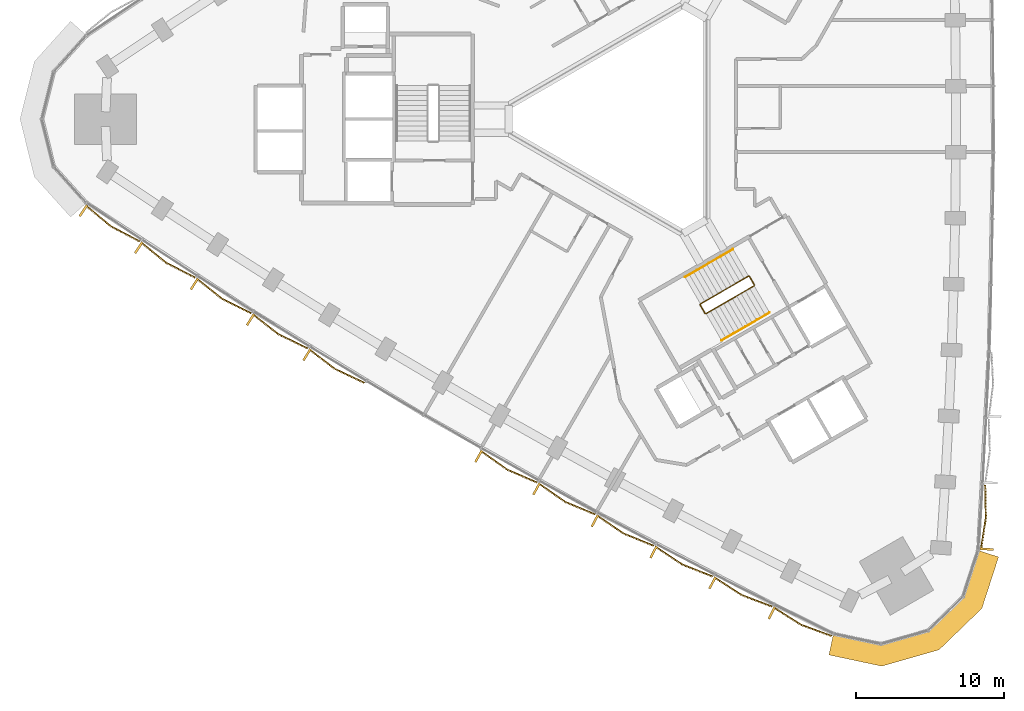
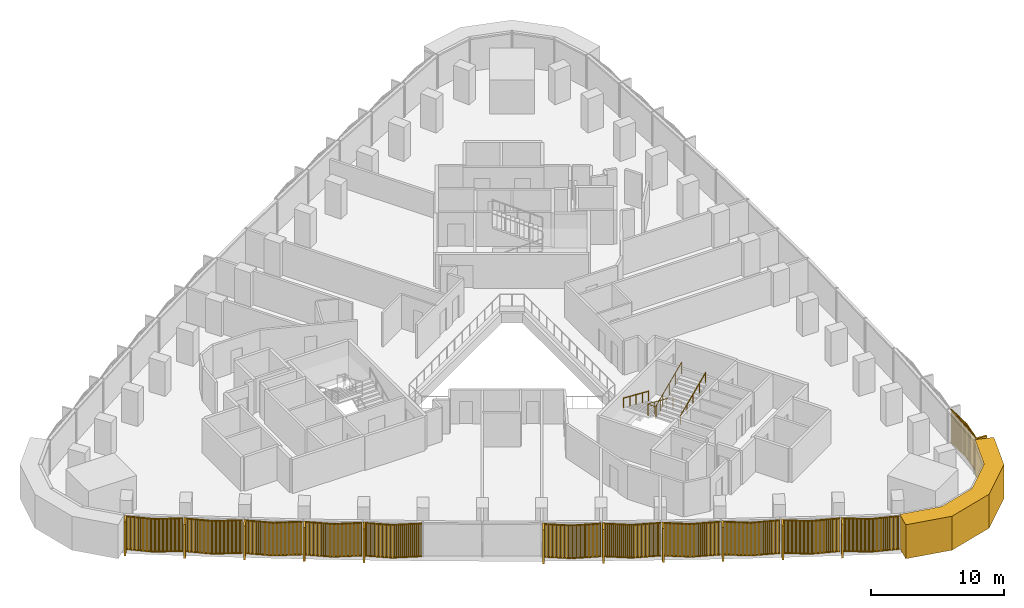
# One storey, part 13 of 15: 13 coverings, 3 railings.
"""IFC4 building model written with IfcOpenShell, lengths in metres."""

from ifc_helpers import new_model, si_unit, direction, frame, frame_2d, origin, origin_2d, place, context, subcontext, project, spatial, polyline, rectangle, circle, outline, extrude, source, transform, mapped, material, layer, layer_set, type_object, element, save


model = new_model("IFC4")

# Units and contexts
model_context = context("Model", 3, precision=1e-05, world=origin(), true_north=direction((0.0, 1.0)))
body_context = subcontext(model_context, "Body", "Model", "MODEL_VIEW")
ifc_project = project(units=[si_unit("LENGTHUNIT", "METRE"), si_unit("AREAUNIT", "SQUARE_METRE"), si_unit("VOLUMEUNIT", "CUBIC_METRE"), si_unit("PLANEANGLEUNIT", "RADIAN"), si_unit("MASSUNIT", "GRAM", prefix="KILO")], contexts=[model_context])

# Site, building, storey
site_placement = place(None, origin())
site = spatial("IfcSite", under=ifc_project, at=site_placement, CompositionType="ELEMENT")
building_placement = place(site_placement, origin())
building = spatial("IfcBuilding", under=site, at=building_placement, Name="Tamra Quay Hotel Tower", CompositionType="ELEMENT")
storey_placement = place(building_placement, frame((0.0, 0.0, 63.800048828125)))
storey = spatial("IfcBuildingStorey", under=building, at=storey_placement, Name="L14", CompositionType="ELEMENT", Elevation=63.800048828125)

# Covering
ifc_material_1 = material(Name="Precast concrete M60 terracotta-coloured", Category="masonry")
ifc_layer = layer(ifc_material_1, 1.449951171875)
ifc_layer_set = layer_set([ifc_layer], Name="CORNER PIER PANEL")
covering_type_1 = type_object("IfcCoveringType", Name="CORNER PIER PANEL", PredefinedType="CLADDING", material=ifc_layer_set)
covering_1_placement = place(storey_placement, origin())
element("IfcCovering", 1, at=covering_1_placement, inside=storey, type_object=covering_type_1, Name="Corner pier L14.south-west", PredefinedType="CLADDING", context=body_context, shape_type="SweptSolid", body=[
    extrude(outline(polyline([(13.593017578125, -34.877685546875), (13.29150390625, -36.296142578125), (16.88037109375, -37.058837890625), (20.75439453125, -35.947998046875), (23.65380859375, -33.148193359375), (24.78759765625, -29.658935546875), (23.40869140625, -29.210693359375), (22.386474609375, -32.356201171875), (20.00732421875, -34.65380859375), (16.828125, -35.5654296875), (13.593017578125, -34.877685546875)])), origin(), (0.0, 0.0, 1.0), 3.125),
])

# Railings
ifc_material_2 = material(Name="Stair guard 1100")
railing_type_1 = type_object("IfcRailingType", Name="Stair guard 1100", PredefinedType="GUARDRAIL", material=ifc_material_2)
railing_1_placement = place(storey_placement, frame((8.245849609375, -11.221923828125, 0.0)))
element("IfcRailing", 2, at=railing_1_placement, inside=storey, type_object=railing_type_1, Name="GR", PredefinedType="GUARDRAIL", context=body_context, shape_type="SweptSolid", body=[
    extrude(circle(Radius=0.02392578125, at=origin_2d()), frame((0.0, 0.0, 1.076171875), z_axis=(-0.500043078269, 0.866000531106, 0.0), x_axis=(-0.866000531106, -0.500043078269, 0.0)), (0.0, 0.0, 1.0), 0.6591796875),
    extrude(circle(Radius=0.02392578125, at=origin_2d()), frame((-0.32958984375, 0.57080078125, 1.076171875), z_axis=(-0.41238007866, 0.110458949641, 0.904290601062), x_axis=(-0.258736085224, -0.965948051503, 0.0)), (0.0, 0.0, 1.0), 0.165771484375),
    extrude(circle(Radius=0.02392578125, at=origin_2d()), frame((-0.39794921875, 0.589111328125, 1.22607421875), z_axis=(-0.793081581205, -0.457901355053, 0.401681409319), x_axis=(0.500012686397, -0.866018079166, 0.0)), (0.0, 0.0, 1.0), 4.108154296875),
    extrude(circle(Radius=0.02392578125, at=origin_2d()), frame((-3.656005859375, -1.2919921875, 2.8759765625), z_axis=(-0.256368644879, -0.966579080015, 0.0), x_axis=(0.966579080015, -0.256368644879, 0.0)), (0.0, 0.0, 1.0), 0.070556640625),
    extrude(circle(Radius=0.02392578125, at=origin_2d()), frame((-3.674072265625, -1.360107421875, 2.8759765625), z_axis=(0.499765215335, -0.866160914346, 0.0), x_axis=(0.866160914346, 0.499765215335, 0.0)), (0.0, 0.0, 1.0), 0.658935546875),
    extrude(circle(Radius=0.02392578125, at=origin_2d()), frame((-3.3447265625, -1.930908203125, 2.8759765625), z_axis=(0.41238007866, -0.110458949641, 0.904290601062), x_axis=(0.258736085224, 0.965948051503, 0.0)), (0.0, 0.0, 1.0), 0.165771484375),
    extrude(circle(Radius=0.02392578125, at=origin_2d()), frame((-3.2763671875, -1.94921875, 3.02587890625), z_axis=(0.793100512587, 0.457912285461, 0.401631567183), x_axis=(-0.500012686397, 0.866018079166, 0.0)), (0.0, 0.0, 1.0), 4.10791015625),
    extrude(circle(Radius=0.02099609375, at=origin_2d()), origin(), (0.0, 0.0, 1.0), 1.052001953125),
    extrude(circle(Radius=0.02099609375, at=origin_2d()), frame((-0.32958984375, 0.57080078125, 0.0)), (0.0, 0.0, 1.0), 1.052001953125),
    extrude(circle(Radius=0.02099609375, at=origin_2d()), frame((-0.39794921875, 0.589111328125, 0.14990234375)), (0.0, 0.0, 1.0), 1.052001953125),
    extrude(circle(Radius=0.02099609375, at=origin_2d()), frame((-1.21240234375, 0.118896484375, 0.5625)), (0.0, 0.0, 1.0), 1.052001953125),
    extrude(circle(Radius=0.02099609375, at=origin_2d()), frame((-2.02685546875, -0.3515625, 0.97509765625)), (0.0, 0.0, 1.0), 1.052001953125),
    extrude(circle(Radius=0.02099609375, at=origin_2d()), frame((-2.841552734375, -0.82177734375, 1.387451171875)), (0.0, 0.0, 1.0), 1.052001953125),
    extrude(circle(Radius=0.02099609375, at=origin_2d()), frame((-3.656005859375, -1.2919921875, 1.800048828125)), (0.0, 0.0, 1.0), 1.052001953125),
    extrude(circle(Radius=0.02099609375, at=origin_2d()), frame((-3.674072265625, -1.360107421875, 1.800048828125)), (0.0, 0.0, 1.0), 1.052001953125),
    extrude(circle(Radius=0.02099609375, at=origin_2d()), frame((-3.3447265625, -1.930908203125, 1.800048828125)), (0.0, 0.0, 1.0), 1.052001953125),
    extrude(circle(Radius=0.02099609375, at=origin_2d()), frame((-3.2763671875, -1.94921875, 1.949951171875)), (0.0, 0.0, 1.0), 1.052001953125),
    extrude(circle(Radius=0.02099609375, at=origin_2d()), frame((-2.4619140625, -1.47900390625, 2.3623046875)), (0.0, 0.0, 1.0), 1.052001953125),
    extrude(circle(Radius=0.02099609375, at=origin_2d()), frame((-1.6474609375, -1.0087890625, 2.77490234375)), (0.0, 0.0, 1.0), 1.052001953125),
    extrude(circle(Radius=0.02099609375, at=origin_2d()), frame((-0.832763671875, -0.538330078125, 3.1875)), (0.0, 0.0, 1.0), 1.052001953125),
    extrude(circle(Radius=0.02099609375, at=origin_2d()), frame((-0.018310546875, -0.068115234375, 3.599853515625)), (0.0, 0.0, 1.0), 1.052001953125),
])
ifc_material_3 = material(Name="Stair handrail 900")
railing_type_2 = type_object("IfcRailingType", Name="Stair handrail 900", PredefinedType="HANDRAIL", material=ifc_material_3)
railing_2_placement = place(storey_placement, frame((6.7978515625, -8.814208984375, 0.14990234375)))
element("IfcRailing", 3, at=railing_2_placement, inside=storey, type_object=railing_type_2, Name="HR", PredefinedType="HANDRAIL", context=body_context, shape_type="SweptSolid", body=[
    extrude(circle(Radius=0.02392578125, at=origin_2d()), frame((0.0, 0.0, 0.8759765625), z_axis=(-0.793081112945, -0.457875966286, 0.40171127416), x_axis=(0.499992114976, -0.866029956157, 0.0)), (0.0, 0.0, 1.0), 4.10791015625),
    extrude(circle(Radius=0.02099609375, at=origin_2d()), origin(), (0.0, 0.0, 1.0), 0.851806640625),
    extrude(circle(Radius=0.02099609375, at=origin_2d()), frame((-0.814453125, -0.47021484375, 0.41259765625)), (0.0, 0.0, 1.0), 0.851806640625),
    extrude(circle(Radius=0.02099609375, at=origin_2d()), frame((-1.62890625, -0.9404296875, 0.8251953125)), (0.0, 0.0, 1.0), 0.851806640625),
    extrude(circle(Radius=0.02099609375, at=origin_2d()), frame((-2.443359375, -1.41064453125, 1.237548828125)), (0.0, 0.0, 1.0), 0.851806640625),
    extrude(circle(Radius=0.02099609375, at=origin_2d()), frame((-3.2578125, -1.880859375, 1.650146484375)), (0.0, 0.0, 1.0), 0.851806640625),
])
railing_3_placement = place(storey_placement, frame((6.01953125, -14.98974609375, 1.949951171875)))
element("IfcRailing", 4, at=railing_3_placement, inside=storey, type_object=railing_type_2, Name="HR", PredefinedType="HANDRAIL", context=body_context, shape_type="SweptSolid", body=[
    extrude(circle(Radius=0.02392578125, at=origin_2d()), frame((0.0, 0.0, 0.8759765625), z_axis=(0.79310004713, 0.457886897714, 0.401661429744), x_axis=(-0.499992114976, 0.866029956157, 0.0)), (0.0, 0.0, 1.0), 4.107666015625),
    extrude(circle(Radius=0.02099609375, at=origin_2d()), origin(), (0.0, 0.0, 1.0), 0.851806640625),
    extrude(circle(Radius=0.02099609375, at=origin_2d()), frame((0.814453125, 0.47021484375, 0.41259765625)), (0.0, 0.0, 1.0), 0.851806640625),
    extrude(circle(Radius=0.02099609375, at=origin_2d()), frame((1.62890625, 0.9404296875, 0.824951171875)), (0.0, 0.0, 1.0), 0.851806640625),
    extrude(circle(Radius=0.02099609375, at=origin_2d()), frame((2.443359375, 1.41064453125, 1.2373046875)), (0.0, 0.0, 1.0), 0.851806640625),
    extrude(circle(Radius=0.02099609375, at=origin_2d()), frame((3.2578125, 1.880859375, 1.64990234375)), (0.0, 0.0, 1.0), 0.851806640625),
])

# Coverings
ifc_material_4 = material(Name="Terracotta baguette extruded", Category="masonry")
covering_type_2 = type_object("IfcCoveringType", Name="BAGUETTE SCREEN E-V H3125", PredefinedType="USERDEFINED", material=ifc_material_4)
shared_shape_1 = source(origin(), body_context, "Body", "SweptSolid", [
    extrude(rectangle(XDim=2.2109375, YDim=0.06005859375, at=frame_2d((1.10546875, 0.030029296875))), frame((-2.207763671875, -0.057861328125, -0.1201171875), z_axis=(0.0, 0.0, 1.0), x_axis=(0.996194698092, -0.087155742748, 0.0)), (0.0, 0.0, 1.0), 0.1201171875),
    extrude(rectangle(XDim=2.2109375, YDim=0.06005859375, at=frame_2d((1.10546875, 0.030029296875))), frame((-2.207763671875, -0.057861328125, -3.125), z_axis=(0.0, 0.0, 1.0), x_axis=(0.996194698092, -0.087155742748, 0.0)), (0.0, 0.0, 1.0), 0.1201171875),
    extrude(rectangle(XDim=0.070068359375, YDim=0.10009765625, at=frame_2d((0.03515625, 0.050048828125))), frame((-2.1875, -0.13232421875, -3.06494140625)), (0.0, 0.0, 1.0), 3.0048828125),
    extrude(rectangle(XDim=0.070068359375, YDim=0.10009765625, at=frame_2d((0.03515625, 0.050048828125))), frame((-2.08740234375, -0.14111328125, -3.06494140625)), (0.0, 0.0, 1.0), 3.0048828125),
    extrude(rectangle(XDim=0.070068359375, YDim=0.10009765625, at=frame_2d((0.03515625, 0.050048828125))), frame((-1.9873046875, -0.14990234375, -3.06494140625)), (0.0, 0.0, 1.0), 3.0048828125),
    extrude(rectangle(XDim=0.070068359375, YDim=0.10009765625, at=frame_2d((0.03515625, 0.050048828125))), frame((-1.88720703125, -0.15869140625, -3.06494140625)), (0.0, 0.0, 1.0), 3.0048828125),
    extrude(rectangle(XDim=0.070068359375, YDim=0.10009765625, at=frame_2d((0.03515625, 0.050048828125))), frame((-1.787109375, -0.16748046875, -3.06494140625)), (0.0, 0.0, 1.0), 3.0048828125),
    extrude(rectangle(XDim=0.070068359375, YDim=0.10009765625, at=frame_2d((0.03515625, 0.050048828125))), frame((-1.686767578125, -0.17626953125, -3.06494140625)), (0.0, 0.0, 1.0), 3.0048828125),
    extrude(rectangle(XDim=0.070068359375, YDim=0.10009765625, at=frame_2d((0.03515625, 0.050048828125))), frame((-1.586669921875, -0.184814453125, -3.06494140625)), (0.0, 0.0, 1.0), 3.0048828125),
    extrude(rectangle(XDim=0.070068359375, YDim=0.10009765625, at=frame_2d((0.03515625, 0.050048828125))), frame((-1.486572265625, -0.193603515625, -3.06494140625)), (0.0, 0.0, 1.0), 3.0048828125),
    extrude(rectangle(XDim=0.070068359375, YDim=0.10009765625, at=frame_2d((0.03515625, 0.050048828125))), frame((-1.386474609375, -0.202392578125, -3.06494140625)), (0.0, 0.0, 1.0), 3.0048828125),
    extrude(rectangle(XDim=0.070068359375, YDim=0.10009765625, at=frame_2d((0.03515625, 0.050048828125))), frame((-1.286376953125, -0.211181640625, -3.06494140625)), (0.0, 0.0, 1.0), 3.0048828125),
    extrude(rectangle(XDim=0.070068359375, YDim=0.10009765625, at=frame_2d((0.03515625, 0.050048828125))), frame((-1.186279296875, -0.219970703125, -3.06494140625)), (0.0, 0.0, 1.0), 3.0048828125),
    extrude(rectangle(XDim=0.070068359375, YDim=0.10009765625, at=frame_2d((0.03515625, 0.050048828125))), frame((-1.086181640625, -0.228759765625, -3.06494140625)), (0.0, 0.0, 1.0), 3.0048828125),
    extrude(rectangle(XDim=0.070068359375, YDim=0.10009765625, at=frame_2d((0.03515625, 0.050048828125))), frame((-0.986083984375, -0.237548828125, -3.06494140625)), (0.0, 0.0, 1.0), 3.0048828125),
    extrude(rectangle(XDim=0.070068359375, YDim=0.10009765625, at=frame_2d((0.03515625, 0.050048828125))), frame((-0.885986328125, -0.246337890625, -3.06494140625)), (0.0, 0.0, 1.0), 3.0048828125),
    extrude(rectangle(XDim=0.070068359375, YDim=0.10009765625, at=frame_2d((0.03515625, 0.050048828125))), frame((-0.785888671875, -0.2548828125, -3.06494140625)), (0.0, 0.0, 1.0), 3.0048828125),
    extrude(rectangle(XDim=0.070068359375, YDim=0.10009765625, at=frame_2d((0.03515625, 0.050048828125))), frame((-0.685791015625, -0.263671875, -3.06494140625)), (0.0, 0.0, 1.0), 3.0048828125),
    extrude(rectangle(XDim=0.070068359375, YDim=0.10009765625, at=frame_2d((0.03515625, 0.050048828125))), frame((-0.585693359375, -0.2724609375, -3.06494140625)), (0.0, 0.0, 1.0), 3.0048828125),
    extrude(rectangle(XDim=0.070068359375, YDim=0.10009765625, at=frame_2d((0.03515625, 0.050048828125))), frame((-0.485595703125, -0.28125, -3.06494140625)), (0.0, 0.0, 1.0), 3.0048828125),
    extrude(rectangle(XDim=0.070068359375, YDim=0.10009765625, at=frame_2d((0.03515625, 0.050048828125))), frame((-0.385498046875, -0.2900390625, -3.06494140625)), (0.0, 0.0, 1.0), 3.0048828125),
    extrude(rectangle(XDim=0.070068359375, YDim=0.10009765625, at=frame_2d((0.03515625, 0.050048828125))), frame((-0.285400390625, -0.298828125, -3.06494140625)), (0.0, 0.0, 1.0), 3.0048828125),
    extrude(rectangle(XDim=0.070068359375, YDim=0.10009765625, at=frame_2d((0.03515625, 0.050048828125))), frame((-0.18505859375, -0.3076171875, -3.06494140625)), (0.0, 0.0, 1.0), 3.0048828125),
    extrude(rectangle(XDim=0.070068359375, YDim=0.10009765625, at=frame_2d((0.03515625, 0.050048828125))), frame((-0.0849609375, -0.31640625, -3.06494140625)), (0.0, 0.0, 1.0), 3.0048828125),
    extrude(rectangle(XDim=2.2109375, YDim=0.06005859375, at=frame_2d((1.10546875, 0.030029296875))), frame((0.005126953125, -0.25048828125, -0.1201171875), z_axis=(0.0, 0.0, 1.0), x_axis=(0.996194698092, 0.087155742748, 0.0)), (0.0, 0.0, 1.0), 0.1201171875),
    extrude(rectangle(XDim=2.2109375, YDim=0.06005859375, at=frame_2d((1.10546875, 0.030029296875))), frame((0.005126953125, -0.25048828125, -3.125), z_axis=(0.0, 0.0, 1.0), x_axis=(0.996194698092, 0.087155742748, 0.0)), (0.0, 0.0, 1.0), 0.1201171875),
    extrude(rectangle(XDim=0.070068359375, YDim=0.10009765625, at=frame_2d((0.03515625, 0.050048828125))), frame((0.01513671875, -0.31640625, -3.06494140625)), (0.0, 0.0, 1.0), 3.0048828125),
    extrude(rectangle(XDim=0.070068359375, YDim=0.10009765625, at=frame_2d((0.03515625, 0.050048828125))), frame((0.115234375, -0.3076171875, -3.06494140625)), (0.0, 0.0, 1.0), 3.0048828125),
    extrude(rectangle(XDim=0.070068359375, YDim=0.10009765625, at=frame_2d((0.03515625, 0.050048828125))), frame((0.21533203125, -0.298828125, -3.06494140625)), (0.0, 0.0, 1.0), 3.0048828125),
    extrude(rectangle(XDim=0.070068359375, YDim=0.10009765625, at=frame_2d((0.03515625, 0.050048828125))), frame((0.3154296875, -0.2900390625, -3.06494140625)), (0.0, 0.0, 1.0), 3.0048828125),
    extrude(rectangle(XDim=0.070068359375, YDim=0.10009765625, at=frame_2d((0.03515625, 0.050048828125))), frame((0.41552734375, -0.28125, -3.06494140625)), (0.0, 0.0, 1.0), 3.0048828125),
    extrude(rectangle(XDim=0.070068359375, YDim=0.10009765625, at=frame_2d((0.03515625, 0.050048828125))), frame((0.515625, -0.2724609375, -3.06494140625)), (0.0, 0.0, 1.0), 3.0048828125),
    extrude(rectangle(XDim=0.070068359375, YDim=0.10009765625, at=frame_2d((0.03515625, 0.050048828125))), frame((0.61572265625, -0.263671875, -3.06494140625)), (0.0, 0.0, 1.0), 3.0048828125),
    extrude(rectangle(XDim=0.070068359375, YDim=0.10009765625, at=frame_2d((0.03515625, 0.050048828125))), frame((0.7158203125, -0.2548828125, -3.06494140625)), (0.0, 0.0, 1.0), 3.0048828125),
    extrude(rectangle(XDim=0.070068359375, YDim=0.10009765625, at=frame_2d((0.03515625, 0.050048828125))), frame((0.81591796875, -0.246337890625, -3.06494140625)), (0.0, 0.0, 1.0), 3.0048828125),
    extrude(rectangle(XDim=0.070068359375, YDim=0.10009765625, at=frame_2d((0.03515625, 0.050048828125))), frame((0.916015625, -0.237548828125, -3.06494140625)), (0.0, 0.0, 1.0), 3.0048828125),
    extrude(rectangle(XDim=0.070068359375, YDim=0.10009765625, at=frame_2d((0.03515625, 0.050048828125))), frame((1.01611328125, -0.228759765625, -3.06494140625)), (0.0, 0.0, 1.0), 3.0048828125),
    extrude(rectangle(XDim=0.070068359375, YDim=0.10009765625, at=frame_2d((0.03515625, 0.050048828125))), frame((1.1162109375, -0.219970703125, -3.06494140625)), (0.0, 0.0, 1.0), 3.0048828125),
    extrude(rectangle(XDim=0.070068359375, YDim=0.10009765625, at=frame_2d((0.03515625, 0.050048828125))), frame((1.21630859375, -0.211181640625, -3.06494140625)), (0.0, 0.0, 1.0), 3.0048828125),
    extrude(rectangle(XDim=0.070068359375, YDim=0.10009765625, at=frame_2d((0.03515625, 0.050048828125))), frame((1.316650390625, -0.202392578125, -3.06494140625)), (0.0, 0.0, 1.0), 3.0048828125),
    extrude(rectangle(XDim=0.070068359375, YDim=0.10009765625, at=frame_2d((0.03515625, 0.050048828125))), frame((1.416748046875, -0.193603515625, -3.06494140625)), (0.0, 0.0, 1.0), 3.0048828125),
    extrude(rectangle(XDim=0.070068359375, YDim=0.10009765625, at=frame_2d((0.03515625, 0.050048828125))), frame((1.516845703125, -0.184814453125, -3.06494140625)), (0.0, 0.0, 1.0), 3.0048828125),
    extrude(rectangle(XDim=0.070068359375, YDim=0.10009765625, at=frame_2d((0.03515625, 0.050048828125))), frame((1.616943359375, -0.17626953125, -3.06494140625)), (0.0, 0.0, 1.0), 3.0048828125),
    extrude(rectangle(XDim=0.070068359375, YDim=0.10009765625, at=frame_2d((0.03515625, 0.050048828125))), frame((1.717041015625, -0.16748046875, -3.06494140625)), (0.0, 0.0, 1.0), 3.0048828125),
    extrude(rectangle(XDim=0.070068359375, YDim=0.10009765625, at=frame_2d((0.03515625, 0.050048828125))), frame((1.817138671875, -0.15869140625, -3.06494140625)), (0.0, 0.0, 1.0), 3.0048828125),
    extrude(rectangle(XDim=0.070068359375, YDim=0.10009765625, at=frame_2d((0.03515625, 0.050048828125))), frame((1.917236328125, -0.14990234375, -3.06494140625)), (0.0, 0.0, 1.0), 3.0048828125),
    extrude(rectangle(XDim=0.070068359375, YDim=0.10009765625, at=frame_2d((0.03515625, 0.050048828125))), frame((2.017333984375, -0.14111328125, -3.06494140625)), (0.0, 0.0, 1.0), 3.0048828125),
    extrude(rectangle(XDim=0.070068359375, YDim=0.10009765625, at=frame_2d((0.03515625, 0.050048828125))), frame((2.117431640625, -0.13232421875, -3.06494140625)), (0.0, 0.0, 1.0), 3.0048828125),
    extrude(rectangle(XDim=0.14990234375, YDim=0.902099609375, at=frame_2d((0.074951171875, 0.451171875))), frame((-2.202392578125, -0.89990234375, -3.125)), (0.0, 0.0, 1.0), 3.125),
])
covering_2_placement = place(storey_placement, frame((23.672119140625, -26.97509765625, 3.125), z_axis=(0.0, 0.0, 1.0), x_axis=(0.064813097616, 0.997897420769, 0.0)))
element("IfcCovering", 5, at=covering_2_placement, inside=storey, type_object=covering_type_2, Name="Baguette screen L14.E.f00", ObjectType="BAGUETTE SCREEN", PredefinedType="USERDEFINED", context=body_context, shape_type="MappedRepresentation", body=[
    mapped(shared_shape_1, transform((0.0, 0.0, 0.0), scale=1.0)),
])
covering_type_3 = type_object("IfcCoveringType", Name="BAGUETTE SCREEN SW-V H3125", PredefinedType="USERDEFINED", material=ifc_material_4)
shared_shape_2 = source(origin(), body_context, "Body", "SweptSolid", [
    extrude(rectangle(XDim=2.214599609375, YDim=0.06005859375, at=frame_2d((1.107421875, 0.030029296875))), frame((-2.208740234375, -0.0576171875, -0.1201171875), z_axis=(0.0, 0.0, 1.0), x_axis=(0.994521895368, -0.104528463268, 0.0)), (0.0, 0.0, 1.0), 0.1201171875),
    extrude(rectangle(XDim=2.214599609375, YDim=0.06005859375, at=frame_2d((1.107421875, 0.030029296875))), frame((-2.208740234375, -0.0576171875, -3.125), z_axis=(0.0, 0.0, 1.0), x_axis=(0.994521895368, -0.104528463268, 0.0)), (0.0, 0.0, 1.0), 0.1201171875),
    extrude(rectangle(XDim=0.070068359375, YDim=0.10009765625, at=frame_2d((0.03515625, 0.050048828125))), frame((-2.1875, -0.13330078125, -3.06494140625)), (0.0, 0.0, 1.0), 3.0048828125),
    extrude(rectangle(XDim=0.070068359375, YDim=0.10009765625, at=frame_2d((0.03515625, 0.050048828125))), frame((-2.08740234375, -0.143798828125, -3.06494140625)), (0.0, 0.0, 1.0), 3.0048828125),
    extrude(rectangle(XDim=0.070068359375, YDim=0.10009765625, at=frame_2d((0.03515625, 0.050048828125))), frame((-1.9873046875, -0.154296875, -3.06494140625)), (0.0, 0.0, 1.0), 3.0048828125),
    extrude(rectangle(XDim=0.070068359375, YDim=0.10009765625, at=frame_2d((0.03515625, 0.050048828125))), frame((-1.88720703125, -0.164794921875, -3.06494140625)), (0.0, 0.0, 1.0), 3.0048828125),
    extrude(rectangle(XDim=0.070068359375, YDim=0.10009765625, at=frame_2d((0.03515625, 0.050048828125))), frame((-1.787109375, -0.17529296875, -3.06494140625)), (0.0, 0.0, 1.0), 3.0048828125),
    extrude(rectangle(XDim=0.070068359375, YDim=0.10009765625, at=frame_2d((0.03515625, 0.050048828125))), frame((-1.686767578125, -0.185791015625, -3.06494140625)), (0.0, 0.0, 1.0), 3.0048828125),
    extrude(rectangle(XDim=0.070068359375, YDim=0.10009765625, at=frame_2d((0.03515625, 0.050048828125))), frame((-1.586669921875, -0.1962890625, -3.06494140625)), (0.0, 0.0, 1.0), 3.0048828125),
    extrude(rectangle(XDim=0.070068359375, YDim=0.10009765625, at=frame_2d((0.03515625, 0.050048828125))), frame((-1.486572265625, -0.20703125, -3.06494140625)), (0.0, 0.0, 1.0), 3.0048828125),
    extrude(rectangle(XDim=0.070068359375, YDim=0.10009765625, at=frame_2d((0.03515625, 0.050048828125))), frame((-1.386474609375, -0.217529296875, -3.06494140625)), (0.0, 0.0, 1.0), 3.0048828125),
    extrude(rectangle(XDim=0.070068359375, YDim=0.10009765625, at=frame_2d((0.03515625, 0.050048828125))), frame((-1.286376953125, -0.22802734375, -3.06494140625)), (0.0, 0.0, 1.0), 3.0048828125),
    extrude(rectangle(XDim=0.070068359375, YDim=0.10009765625, at=frame_2d((0.03515625, 0.050048828125))), frame((-1.186279296875, -0.238525390625, -3.06494140625)), (0.0, 0.0, 1.0), 3.0048828125),
    extrude(rectangle(XDim=0.070068359375, YDim=0.10009765625, at=frame_2d((0.03515625, 0.050048828125))), frame((-1.086181640625, -0.2490234375, -3.06494140625)), (0.0, 0.0, 1.0), 3.0048828125),
    extrude(rectangle(XDim=0.070068359375, YDim=0.10009765625, at=frame_2d((0.03515625, 0.050048828125))), frame((-0.986083984375, -0.259521484375, -3.06494140625)), (0.0, 0.0, 1.0), 3.0048828125),
    extrude(rectangle(XDim=0.070068359375, YDim=0.10009765625, at=frame_2d((0.03515625, 0.050048828125))), frame((-0.885986328125, -0.27001953125, -3.06494140625)), (0.0, 0.0, 1.0), 3.0048828125),
    extrude(rectangle(XDim=0.070068359375, YDim=0.10009765625, at=frame_2d((0.03515625, 0.050048828125))), frame((-0.785888671875, -0.280517578125, -3.06494140625)), (0.0, 0.0, 1.0), 3.0048828125),
    extrude(rectangle(XDim=0.070068359375, YDim=0.10009765625, at=frame_2d((0.03515625, 0.050048828125))), frame((-0.685791015625, -0.291015625, -3.06494140625)), (0.0, 0.0, 1.0), 3.0048828125),
    extrude(rectangle(XDim=0.070068359375, YDim=0.10009765625, at=frame_2d((0.03515625, 0.050048828125))), frame((-0.585693359375, -0.301513671875, -3.06494140625)), (0.0, 0.0, 1.0), 3.0048828125),
    extrude(rectangle(XDim=0.070068359375, YDim=0.10009765625, at=frame_2d((0.03515625, 0.050048828125))), frame((-0.485595703125, -0.312255859375, -3.06494140625)), (0.0, 0.0, 1.0), 3.0048828125),
    extrude(rectangle(XDim=0.070068359375, YDim=0.10009765625, at=frame_2d((0.03515625, 0.050048828125))), frame((-0.385498046875, -0.32275390625, -3.06494140625)), (0.0, 0.0, 1.0), 3.0048828125),
    extrude(rectangle(XDim=0.070068359375, YDim=0.10009765625, at=frame_2d((0.03515625, 0.050048828125))), frame((-0.285400390625, -0.333251953125, -3.06494140625)), (0.0, 0.0, 1.0), 3.0048828125),
    extrude(rectangle(XDim=0.070068359375, YDim=0.10009765625, at=frame_2d((0.03515625, 0.050048828125))), frame((-0.18505859375, -0.34375, -3.06494140625)), (0.0, 0.0, 1.0), 3.0048828125),
    extrude(rectangle(XDim=0.070068359375, YDim=0.10009765625, at=frame_2d((0.03515625, 0.050048828125))), frame((-0.0849609375, -0.354248046875, -3.06494140625)), (0.0, 0.0, 1.0), 3.0048828125),
    extrude(rectangle(XDim=2.214599609375, YDim=0.06005859375, at=frame_2d((1.107421875, 0.030029296875))), frame((0.00634765625, -0.2890625, -0.1201171875), z_axis=(0.0, 0.0, 1.0), x_axis=(0.994521895368, 0.104528463268, 0.0)), (0.0, 0.0, 1.0), 0.1201171875),
    extrude(rectangle(XDim=2.214599609375, YDim=0.06005859375, at=frame_2d((1.107421875, 0.030029296875))), frame((0.00634765625, -0.2890625, -3.125), z_axis=(0.0, 0.0, 1.0), x_axis=(0.994521895368, 0.104528463268, 0.0)), (0.0, 0.0, 1.0), 0.1201171875),
    extrude(rectangle(XDim=0.070068359375, YDim=0.10009765625, at=frame_2d((0.03515625, 0.050048828125))), frame((0.01513671875, -0.354248046875, -3.06494140625)), (0.0, 0.0, 1.0), 3.0048828125),
    extrude(rectangle(XDim=0.070068359375, YDim=0.10009765625, at=frame_2d((0.03515625, 0.050048828125))), frame((0.115234375, -0.34375, -3.06494140625)), (0.0, 0.0, 1.0), 3.0048828125),
    extrude(rectangle(XDim=0.070068359375, YDim=0.10009765625, at=frame_2d((0.03515625, 0.050048828125))), frame((0.21533203125, -0.333251953125, -3.06494140625)), (0.0, 0.0, 1.0), 3.0048828125),
    extrude(rectangle(XDim=0.070068359375, YDim=0.10009765625, at=frame_2d((0.03515625, 0.050048828125))), frame((0.3154296875, -0.32275390625, -3.06494140625)), (0.0, 0.0, 1.0), 3.0048828125),
    extrude(rectangle(XDim=0.070068359375, YDim=0.10009765625, at=frame_2d((0.03515625, 0.050048828125))), frame((0.41552734375, -0.312255859375, -3.06494140625)), (0.0, 0.0, 1.0), 3.0048828125),
    extrude(rectangle(XDim=0.070068359375, YDim=0.10009765625, at=frame_2d((0.03515625, 0.050048828125))), frame((0.515625, -0.301513671875, -3.06494140625)), (0.0, 0.0, 1.0), 3.0048828125),
    extrude(rectangle(XDim=0.070068359375, YDim=0.10009765625, at=frame_2d((0.03515625, 0.050048828125))), frame((0.61572265625, -0.291015625, -3.06494140625)), (0.0, 0.0, 1.0), 3.0048828125),
    extrude(rectangle(XDim=0.070068359375, YDim=0.10009765625, at=frame_2d((0.03515625, 0.050048828125))), frame((0.7158203125, -0.280517578125, -3.06494140625)), (0.0, 0.0, 1.0), 3.0048828125),
    extrude(rectangle(XDim=0.070068359375, YDim=0.10009765625, at=frame_2d((0.03515625, 0.050048828125))), frame((0.81591796875, -0.27001953125, -3.06494140625)), (0.0, 0.0, 1.0), 3.0048828125),
    extrude(rectangle(XDim=0.070068359375, YDim=0.10009765625, at=frame_2d((0.03515625, 0.050048828125))), frame((0.916015625, -0.259521484375, -3.06494140625)), (0.0, 0.0, 1.0), 3.0048828125),
    extrude(rectangle(XDim=0.070068359375, YDim=0.10009765625, at=frame_2d((0.03515625, 0.050048828125))), frame((1.01611328125, -0.2490234375, -3.06494140625)), (0.0, 0.0, 1.0), 3.0048828125),
    extrude(rectangle(XDim=0.070068359375, YDim=0.10009765625, at=frame_2d((0.03515625, 0.050048828125))), frame((1.1162109375, -0.238525390625, -3.06494140625)), (0.0, 0.0, 1.0), 3.0048828125),
    extrude(rectangle(XDim=0.070068359375, YDim=0.10009765625, at=frame_2d((0.03515625, 0.050048828125))), frame((1.21630859375, -0.22802734375, -3.06494140625)), (0.0, 0.0, 1.0), 3.0048828125),
    extrude(rectangle(XDim=0.070068359375, YDim=0.10009765625, at=frame_2d((0.03515625, 0.050048828125))), frame((1.316650390625, -0.217529296875, -3.06494140625)), (0.0, 0.0, 1.0), 3.0048828125),
    extrude(rectangle(XDim=0.070068359375, YDim=0.10009765625, at=frame_2d((0.03515625, 0.050048828125))), frame((1.416748046875, -0.20703125, -3.06494140625)), (0.0, 0.0, 1.0), 3.0048828125),
    extrude(rectangle(XDim=0.070068359375, YDim=0.10009765625, at=frame_2d((0.03515625, 0.050048828125))), frame((1.516845703125, -0.1962890625, -3.06494140625)), (0.0, 0.0, 1.0), 3.0048828125),
    extrude(rectangle(XDim=0.070068359375, YDim=0.10009765625, at=frame_2d((0.03515625, 0.050048828125))), frame((1.616943359375, -0.185791015625, -3.06494140625)), (0.0, 0.0, 1.0), 3.0048828125),
    extrude(rectangle(XDim=0.070068359375, YDim=0.10009765625, at=frame_2d((0.03515625, 0.050048828125))), frame((1.717041015625, -0.17529296875, -3.06494140625)), (0.0, 0.0, 1.0), 3.0048828125),
    extrude(rectangle(XDim=0.070068359375, YDim=0.10009765625, at=frame_2d((0.03515625, 0.050048828125))), frame((1.817138671875, -0.164794921875, -3.06494140625)), (0.0, 0.0, 1.0), 3.0048828125),
    extrude(rectangle(XDim=0.070068359375, YDim=0.10009765625, at=frame_2d((0.03515625, 0.050048828125))), frame((1.917236328125, -0.154296875, -3.06494140625)), (0.0, 0.0, 1.0), 3.0048828125),
    extrude(rectangle(XDim=0.070068359375, YDim=0.10009765625, at=frame_2d((0.03515625, 0.050048828125))), frame((2.017333984375, -0.143798828125, -3.06494140625)), (0.0, 0.0, 1.0), 3.0048828125),
    extrude(rectangle(XDim=0.070068359375, YDim=0.10009765625, at=frame_2d((0.03515625, 0.050048828125))), frame((2.117431640625, -0.13330078125, -3.06494140625)), (0.0, 0.0, 1.0), 3.0048828125),
    extrude(rectangle(XDim=0.14990234375, YDim=0.902099609375, at=frame_2d((0.074951171875, 0.451171875))), frame((-2.202392578125, -0.89990234375, -3.125)), (0.0, 0.0, 1.0), 3.125),
])
for number, where, z_axis, x_axis, name in (
    (6, (-35.197021484375, -7.01318359375, 3.125), (0.0, 0.0, 1.0), (0.831797967949, -0.555078499418, 0.0), "Baguette screen L14.SW.f00"),
    (7, (-31.44140625, -9.490234375, 3.125), (0.0, 0.0, 1.0), (0.837727846152, -0.546087956086, 0.0), "Baguette screen L14.SW.f01"),
    (8, (-27.6591796875, -11.9267578125, 3.125), (0.0, 0.0, 1.0), (0.84357098627, -0.537017682319, 0.0), "Baguette screen L14.SW.f02"),
    (9, (-23.851318359375, -14.322021484375, 3.125), (0.0, 0.0, 1.0), (0.849331223164, -0.527860278254, 0.0), "Baguette screen L14.SW.f03"),
    (10, (-20.01708984375, -16.67626953125, 3.125), (0.0, 0.0, 1.0), (0.85499355735, -0.51863861878, 0.0), "Baguette screen L14.SW.f04"),
    (11, (-8.365966796875, -23.4873046875, 3.125), (0.0, 0.0, 1.0), (0.871392472945, -0.490586544959, 0.0), "Baguette screen L14.SW.f07"),
    (12, (-4.43359375, -25.67333984375, 3.125), (0.0, 0.0, 1.0), (0.876650997922, -0.481126831347, 0.0), "Baguette screen L14.SW.f08"),
    (13, (-0.4775390625, -27.81689453125, 3.125), (0.0, 0.0, 1.0), (0.881806022199, -0.47161227636, 0.0), "Baguette screen L14.SW.f09"),
    (14, (3.500732421875, -29.9169921875, 3.125), (0.0, 0.0, 1.0), (0.886856448305, -0.462045062846, 0.0), "Baguette screen L14.SW.f10"),
    (15, (7.501953125, -31.97412109375, 3.125), (0.0, 0.0, 1.0), (0.891789965747, -0.452449618182, 0.0), "Baguette screen L14.SW.f11"),
    (16, (11.52490234375, -33.988037109375, 3.125), (0.0, 0.0, 1.0), (0.896611065565, -0.442818921351, 0.0), "Baguette screen L14.SW.f12"),
):
    element("IfcCovering", number, at=place(storey_placement, frame(where, z_axis=z_axis, x_axis=x_axis)), inside=storey, type_object=covering_type_3, Name=name, ObjectType="BAGUETTE SCREEN", PredefinedType="USERDEFINED", context=body_context, shape_type="MappedRepresentation", body=[
        mapped(shared_shape_2, transform((0.0, 0.0, 0.0), scale=1.0)),
    ])

save(model, "model.ifc")
